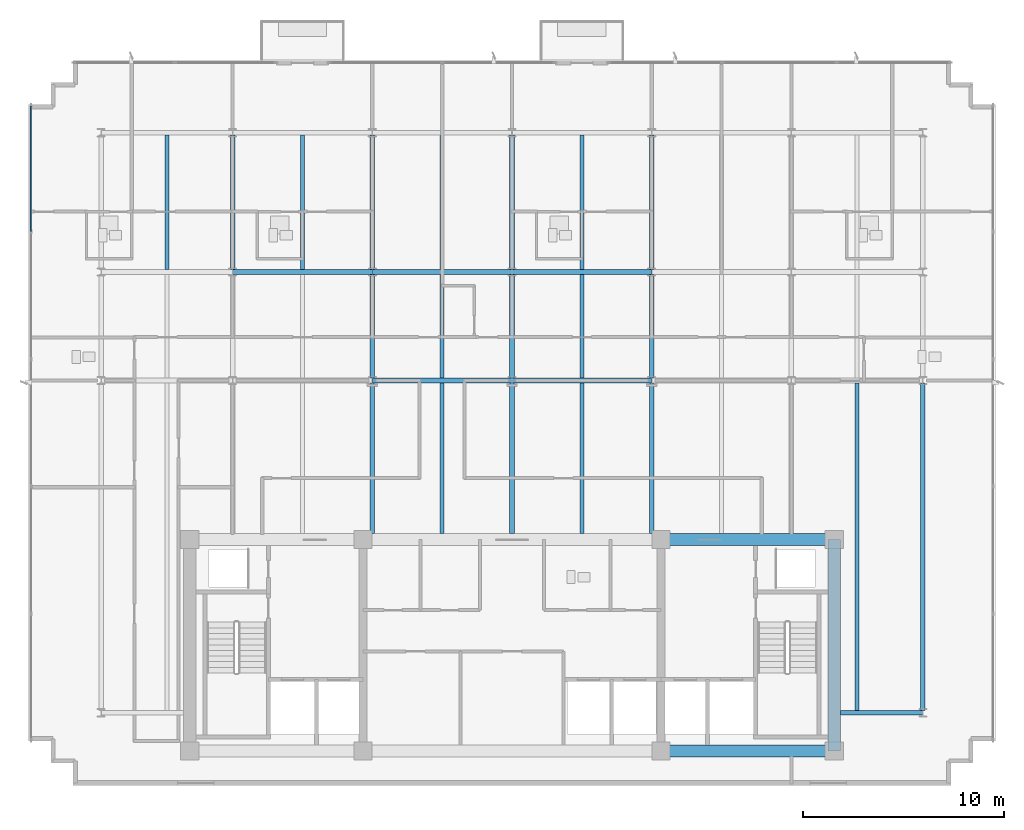
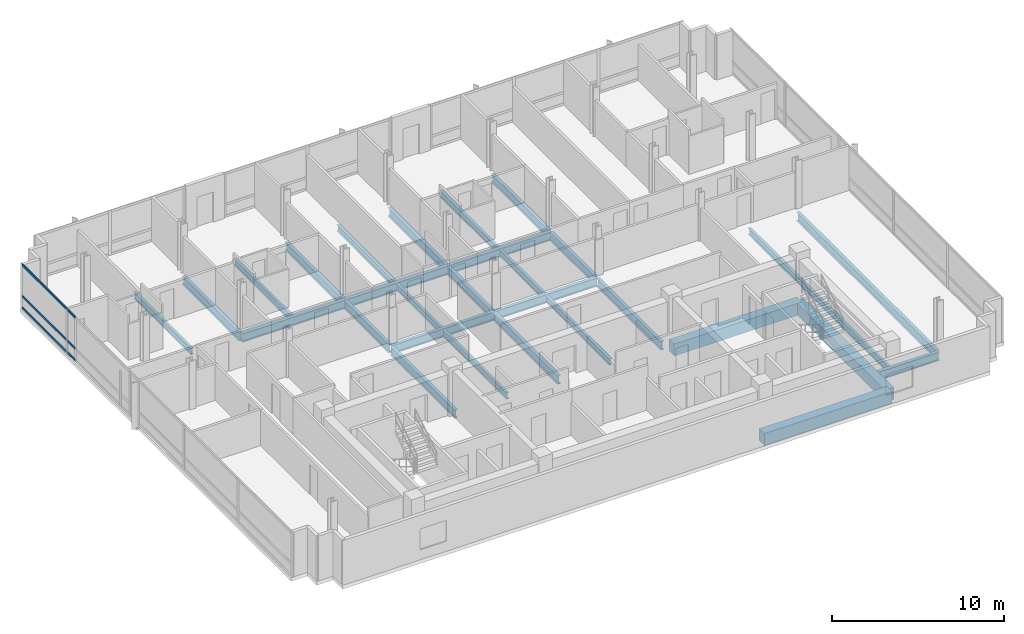
# One storey, part 3 of 15: 29 beams, 3 members, 1 element without a shape of its own.
"""IFC4 building model written with IfcOpenShell, lengths in metres."""

from ifc_helpers import new_model, si_unit, direction, frame, origin, origin_2d, place, context, subcontext, project, spatial, rectangle, i_section, extrude, material, material_profile, profile_set, type_object, element, aggregate, save


model = new_model("IFC4")

# Units and contexts
model_context = context("Model", 3, precision=1e-05, world=origin(), true_north=direction((0.0, 1.0)))
body_context = subcontext(model_context, "Body", "Model", "MODEL_VIEW")
ifc_project = project(units=[si_unit("LENGTHUNIT", "METRE"), si_unit("AREAUNIT", "SQUARE_METRE"), si_unit("VOLUMEUNIT", "CUBIC_METRE"), si_unit("PLANEANGLEUNIT", "RADIAN"), si_unit("MASSUNIT", "GRAM", prefix="KILO")], contexts=[model_context])

# Site, building, storey
site_placement = place(None, origin())
site = spatial("IfcSite", under=ifc_project, at=site_placement, CompositionType="ELEMENT")
building_placement = place(site_placement, origin())
building = spatial("IfcBuilding", under=site, at=building_placement, Name="Solmavex Isthmus Hotel", CompositionType="ELEMENT")
storey_placement = place(building_placement, frame((0.0, 0.0, 259.199951171875)))
storey = spatial("IfcBuildingStorey", under=building, at=storey_placement, Name="L70", CompositionType="ELEMENT", Elevation=259.199951171875)

# Beams
ifc_material_1 = material(Name="Steel ASTM A992 Grade 50", Category="steel")
ifc_material_profile_1 = material_profile(ifc_material_1, i_section(OverallWidth=0.1904296875, OverallDepth=0.456787109375, WebThickness=0.009033203125, FlangeThickness=0.014404296875, FilletRadius=0.0126953125, at=origin_2d()), Name="W18X50")
ifc_profile_set_1 = profile_set([ifc_material_profile_1], Name="Steel ASTM A992 Grade 50")
beam_type_1 = type_object("IfcBeamType", Name="BM-BJ-W18X50", PredefinedType="JOIST", material=ifc_profile_set_1)
for number, where, z_axis, x_axis, name in (
    (1, (-17.135986328125, 10.90185546875, -0.48828125), (0.0, 1.0, 0.0), (-1.0, 0.0, 0.0), "Secondary Floor Joist L70-J03"),
    (2, (-10.404052734375, 10.90185546875, -0.48828125), (0.0, 1.0, 0.0), (-1.0, 0.0, 0.0), "Secondary Floor Joist L70-J06"),
):
    element("IfcBeam", number, at=place(storey_placement, frame(where, z_axis=z_axis, x_axis=x_axis)), inside=storey, type_object=beam_type_1, Name=name, PredefinedType="JOIST", context=body_context, shape_type="SweptSolid", body=[
        extrude(i_section(OverallWidth=0.1904296875, OverallDepth=0.456787109375, WebThickness=0.009033203125, FlangeThickness=0.014404296875, FilletRadius=0.0126953125, at=origin_2d()), origin(), (0.0, 0.0, 1.0), 6.682861328125),
    ])
beam_1_placement = place(storey_placement, frame((-3.468017578125, -2.199951171875, -0.48828125), z_axis=(0.0, 1.0, 0.0), x_axis=(-1.0, 0.0, 0.0)))
element("IfcBeam", 3, at=beam_1_placement, inside=storey, type_object=beam_type_1, Name="Secondary Floor Joist L70-J07", PredefinedType="JOIST", context=body_context, shape_type="SweptSolid", body=[
    extrude(i_section(OverallWidth=0.1904296875, OverallDepth=0.456787109375, WebThickness=0.009033203125, FlangeThickness=0.014404296875, FilletRadius=0.0126953125, at=origin_2d()), origin(), (0.0, 0.0, 1.0), 7.486083984375),
])
beam_2_placement = place(storey_placement, frame((-3.468017578125, 5.513916015625, -0.48828125), z_axis=(0.0, 1.0, 0.0), x_axis=(-1.0, 0.0, 0.0)))
element("IfcBeam", 4, at=beam_2_placement, inside=storey, type_object=beam_type_1, Name="Secondary Floor Joist L70-J08", PredefinedType="JOIST", context=body_context, shape_type="SweptSolid", body=[
    extrude(i_section(OverallWidth=0.1904296875, OverallDepth=0.456787109375, WebThickness=0.009033203125, FlangeThickness=0.014404296875, FilletRadius=0.0126953125, at=origin_2d()), origin(), (0.0, 0.0, 1.0), 5.16015625),
])
beam_3_placement = place(storey_placement, frame((-3.468017578125, 10.90185546875, -0.48828125), z_axis=(0.0, 1.0, 0.0), x_axis=(-1.0, 0.0, 0.0)))
element("IfcBeam", 5, at=beam_3_placement, inside=storey, type_object=beam_type_1, Name="Secondary Floor Joist L70-J09", PredefinedType="JOIST", context=body_context, shape_type="SweptSolid", body=[
    extrude(i_section(OverallWidth=0.1904296875, OverallDepth=0.456787109375, WebThickness=0.009033203125, FlangeThickness=0.014404296875, FilletRadius=0.0126953125, at=origin_2d()), origin(), (0.0, 0.0, 1.0), 6.682861328125),
])
beam_4_placement = place(storey_placement, frame((3.468017578125, -2.199951171875, -0.48828125), z_axis=(0.0, 1.0, 0.0), x_axis=(-1.0, 0.0, 0.0)))
element("IfcBeam", 6, at=beam_4_placement, inside=storey, type_object=beam_type_1, Name="Secondary Floor Joist L70-J10", PredefinedType="JOIST", context=body_context, shape_type="SweptSolid", body=[
    extrude(i_section(OverallWidth=0.1904296875, OverallDepth=0.456787109375, WebThickness=0.009033203125, FlangeThickness=0.014404296875, FilletRadius=0.0126953125, at=origin_2d()), origin(), (0.0, 0.0, 1.0), 7.486083984375),
])
beam_5_placement = place(storey_placement, frame((3.468017578125, 5.513916015625, -0.48828125), z_axis=(0.0, 1.0, 0.0), x_axis=(-1.0, 0.0, 0.0)))
element("IfcBeam", 7, at=beam_5_placement, inside=storey, type_object=beam_type_1, Name="Secondary Floor Joist L70-J11", PredefinedType="JOIST", context=body_context, shape_type="SweptSolid", body=[
    extrude(i_section(OverallWidth=0.1904296875, OverallDepth=0.456787109375, WebThickness=0.009033203125, FlangeThickness=0.014404296875, FilletRadius=0.0126953125, at=origin_2d()), origin(), (0.0, 0.0, 1.0), 5.16015625),
])
beam_6_placement = place(storey_placement, frame((3.468017578125, 10.90185546875, -0.48828125), z_axis=(0.0, 1.0, 0.0), x_axis=(-1.0, 0.0, 0.0)))
element("IfcBeam", 8, at=beam_6_placement, inside=storey, type_object=beam_type_1, Name="Secondary Floor Joist L70-J12", PredefinedType="JOIST", context=body_context, shape_type="SweptSolid", body=[
    extrude(i_section(OverallWidth=0.1904296875, OverallDepth=0.456787109375, WebThickness=0.009033203125, FlangeThickness=0.014404296875, FilletRadius=0.0126953125, at=origin_2d()), origin(), (0.0, 0.0, 1.0), 6.682861328125),
])
beam_7_placement = place(storey_placement, frame((17.135986328125, -10.98486328125, -0.48828125), z_axis=(0.0, 1.0, 0.0), x_axis=(-1.0, 0.0, 0.0)))
element("IfcBeam", 9, at=beam_7_placement, inside=storey, type_object=beam_type_1, Name="Secondary Floor Joist L70-J16", PredefinedType="JOIST", context=body_context, shape_type="SweptSolid", body=[
    extrude(i_section(OverallWidth=0.1904296875, OverallDepth=0.456787109375, WebThickness=0.009033203125, FlangeThickness=0.014404296875, FilletRadius=0.0126953125, at=origin_2d()), origin(), (0.0, 0.0, 1.0), 16.27099609375),
])
ifc_material_profile_2 = material_profile(ifc_material_1, i_section(OverallWidth=0.227783203125, OverallDepth=0.602783203125, WebThickness=0.010498046875, FlangeThickness=0.014892578125, FilletRadius=0.01513671875, at=origin_2d()), Name="W24X68")
ifc_profile_set_2 = profile_set([ifc_material_profile_2], Name="Steel ASTM A992 Grade 50")
beam_type_2 = type_object("IfcBeamType", Name="BM-BM-W24X68", PredefinedType="BEAM", material=ifc_profile_set_2)
for number, where, z_axis, x_axis, name in (
    (10, (-6.93603515625, 5.39990234375, -0.561279296875), (1.0, 0.0, 0.0), (0.0, 1.0, 0.0), "Floor Girder L70-UG05"),
    (11, (0.0, 5.39990234375, -0.561279296875), (1.0, 0.0, 0.0), (0.0, 1.0, 0.0), "Floor Girder L70-UG06"),
    (12, (-13.8720703125, 10.7880859375, -0.561279296875), (1.0, 0.0, 0.0), (0.0, 1.0, 0.0), "Floor Girder L70-UG10"),
    (13, (-6.93603515625, 10.7880859375, -0.561279296875), (1.0, 0.0, 0.0), (0.0, 1.0, 0.0), "Floor Girder L70-UG11"),
    (14, (0.0, 10.7880859375, -0.561279296875), (1.0, 0.0, 0.0), (0.0, 1.0, 0.0), "Floor Girder L70-UG12"),
):
    element("IfcBeam", number, at=place(storey_placement, frame(where, z_axis=z_axis, x_axis=x_axis)), inside=storey, type_object=beam_type_2, Name=name, PredefinedType="BEAM", context=body_context, shape_type="SweptSolid", body=[
        extrude(i_section(OverallWidth=0.227783203125, OverallDepth=0.602783203125, WebThickness=0.010498046875, FlangeThickness=0.014892578125, FilletRadius=0.01513671875, at=origin_2d()), origin(), (0.0, 0.0, 1.0), 6.93603515625),
    ])
beam_8_placement = place(storey_placement, frame((-13.8720703125, 10.90185546875, -0.561279296875), z_axis=(0.0, 1.0, 0.0), x_axis=(-1.0, 0.0, 0.0)))
element("IfcBeam", 15, at=beam_8_placement, inside=storey, type_object=beam_type_2, Name="Floor Beam L70-VG26", PredefinedType="BEAM", context=body_context, shape_type="SweptSolid", body=[
    extrude(i_section(OverallWidth=0.227783203125, OverallDepth=0.602783203125, WebThickness=0.010498046875, FlangeThickness=0.014892578125, FilletRadius=0.01513671875, at=origin_2d()), origin(), (0.0, 0.0, 1.0), 6.682861328125),
])
beam_9_placement = place(storey_placement, frame((-6.93603515625, -2.199951171875, -0.561279296875), z_axis=(0.0, 1.0, 0.0), x_axis=(-1.0, 0.0, 0.0)))
element("IfcBeam", 16, at=beam_9_placement, inside=storey, type_object=beam_type_2, Name="Floor Beam L70-VG27", PredefinedType="BEAM", context=body_context, shape_type="SweptSolid", body=[
    extrude(i_section(OverallWidth=0.227783203125, OverallDepth=0.602783203125, WebThickness=0.010498046875, FlangeThickness=0.014892578125, FilletRadius=0.01513671875, at=origin_2d()), origin(), (0.0, 0.0, 1.0), 7.486083984375),
])
beam_10_placement = place(storey_placement, frame((-6.93603515625, 5.513916015625, -0.561279296875), z_axis=(0.0, 1.0, 0.0), x_axis=(-1.0, 0.0, 0.0)))
element("IfcBeam", 17, at=beam_10_placement, inside=storey, type_object=beam_type_2, Name="Floor Beam L70-VG28", PredefinedType="BEAM", context=body_context, shape_type="SweptSolid", body=[
    extrude(i_section(OverallWidth=0.227783203125, OverallDepth=0.602783203125, WebThickness=0.010498046875, FlangeThickness=0.014892578125, FilletRadius=0.01513671875, at=origin_2d()), origin(), (0.0, 0.0, 1.0), 5.16015625),
])
beam_11_placement = place(storey_placement, frame((-6.93603515625, 10.90185546875, -0.561279296875), z_axis=(0.0, 1.0, 0.0), x_axis=(-1.0, 0.0, 0.0)))
element("IfcBeam", 18, at=beam_11_placement, inside=storey, type_object=beam_type_2, Name="Floor Beam L70-VG29", PredefinedType="BEAM", context=body_context, shape_type="SweptSolid", body=[
    extrude(i_section(OverallWidth=0.227783203125, OverallDepth=0.602783203125, WebThickness=0.010498046875, FlangeThickness=0.014892578125, FilletRadius=0.01513671875, at=origin_2d()), origin(), (0.0, 0.0, 1.0), 6.682861328125),
])
beam_12_placement = place(storey_placement, frame((0.0, -2.199951171875, -0.561279296875), z_axis=(0.0, 1.0, 0.0), x_axis=(-1.0, 0.0, 0.0)))
element("IfcBeam", 19, at=beam_12_placement, inside=storey, type_object=beam_type_2, Name="Floor Beam L70-VG30", PredefinedType="BEAM", context=body_context, shape_type="SweptSolid", body=[
    extrude(i_section(OverallWidth=0.227783203125, OverallDepth=0.602783203125, WebThickness=0.010498046875, FlangeThickness=0.014892578125, FilletRadius=0.01513671875, at=origin_2d()), origin(), (0.0, 0.0, 1.0), 7.486083984375),
])
beam_13_placement = place(storey_placement, frame((0.0, 5.513916015625, -0.561279296875), z_axis=(0.0, 1.0, 0.0), x_axis=(-1.0, 0.0, 0.0)))
element("IfcBeam", 20, at=beam_13_placement, inside=storey, type_object=beam_type_2, Name="Floor Beam L70-VG31", PredefinedType="BEAM", context=body_context, shape_type="SweptSolid", body=[
    extrude(i_section(OverallWidth=0.227783203125, OverallDepth=0.602783203125, WebThickness=0.010498046875, FlangeThickness=0.014892578125, FilletRadius=0.01513671875, at=origin_2d()), origin(), (0.0, 0.0, 1.0), 5.16015625),
])
beam_14_placement = place(storey_placement, frame((0.0, 10.90185546875, -0.561279296875), z_axis=(0.0, 1.0, 0.0), x_axis=(-1.0, 0.0, 0.0)))
element("IfcBeam", 21, at=beam_14_placement, inside=storey, type_object=beam_type_2, Name="Floor Beam L70-VG32", PredefinedType="BEAM", context=body_context, shape_type="SweptSolid", body=[
    extrude(i_section(OverallWidth=0.227783203125, OverallDepth=0.602783203125, WebThickness=0.010498046875, FlangeThickness=0.014892578125, FilletRadius=0.01513671875, at=origin_2d()), origin(), (0.0, 0.0, 1.0), 6.682861328125),
])
beam_15_placement = place(storey_placement, frame((6.93603515625, -2.199951171875, -0.561279296875), z_axis=(0.0, 1.0, 0.0), x_axis=(-1.0, 0.0, 0.0)))
element("IfcBeam", 22, at=beam_15_placement, inside=storey, type_object=beam_type_2, Name="Floor Beam L70-VG33", PredefinedType="BEAM", context=body_context, shape_type="SweptSolid", body=[
    extrude(i_section(OverallWidth=0.227783203125, OverallDepth=0.602783203125, WebThickness=0.010498046875, FlangeThickness=0.014892578125, FilletRadius=0.01513671875, at=origin_2d()), origin(), (0.0, 0.0, 1.0), 7.486083984375),
])
beam_16_placement = place(storey_placement, frame((6.93603515625, 5.513916015625, -0.561279296875), z_axis=(0.0, 1.0, 0.0), x_axis=(-1.0, 0.0, 0.0)))
element("IfcBeam", 23, at=beam_16_placement, inside=storey, type_object=beam_type_2, Name="Floor Beam L70-VG34", PredefinedType="BEAM", context=body_context, shape_type="SweptSolid", body=[
    extrude(i_section(OverallWidth=0.227783203125, OverallDepth=0.602783203125, WebThickness=0.010498046875, FlangeThickness=0.014892578125, FilletRadius=0.01513671875, at=origin_2d()), origin(), (0.0, 0.0, 1.0), 5.16015625),
])
beam_17_placement = place(storey_placement, frame((6.93603515625, 10.90185546875, -0.561279296875), z_axis=(0.0, 1.0, 0.0), x_axis=(-1.0, 0.0, 0.0)))
element("IfcBeam", 24, at=beam_17_placement, inside=storey, type_object=beam_type_2, Name="Floor Beam L70-VG35", PredefinedType="BEAM", context=body_context, shape_type="SweptSolid", body=[
    extrude(i_section(OverallWidth=0.227783203125, OverallDepth=0.602783203125, WebThickness=0.010498046875, FlangeThickness=0.014892578125, FilletRadius=0.01513671875, at=origin_2d()), origin(), (0.0, 0.0, 1.0), 6.682861328125),
])
ifc_material_2 = material(Name="Concrete C50/60", Category="concrete")
ifc_material_profile_3 = material_profile(ifc_material_2, rectangle(XDim=0.60009765625, YDim=0.85009765625, at=origin_2d()), Name="RC600X850")
ifc_profile_set_3 = profile_set([ifc_material_profile_3], Name="Concrete C50/60")
beam_type_3 = type_object("IfcBeamType", Name="BM-CB-600X850", PredefinedType="BEAM", material=ifc_profile_set_3)
for number, where, z_axis, x_axis, name in (
    (25, (7.39990234375, -13.0, -0.68505859375), (1.0, 0.0, 0.0), (0.0, 1.0, 0.0), "Core Coupling Beam L70-CB3"),
    (26, (7.39990234375, -2.5, -0.68505859375), (1.0, 0.0, 0.0), (0.0, 1.0, 0.0), "Core Coupling Beam L70-CB6"),
):
    element("IfcBeam", number, at=place(storey_placement, frame(where, z_axis=z_axis, x_axis=x_axis)), inside=storey, type_object=beam_type_3, Name=name, PredefinedType="BEAM", context=body_context, shape_type="SweptSolid", body=[
        extrude(rectangle(XDim=0.60009765625, YDim=0.85009765625, at=origin_2d()), origin(), (0.0, 0.0, 1.0), 8.60009765625),
    ])
beam_18_placement = place(storey_placement, frame((16.0, -13.0, -0.68505859375), z_axis=(0.0, 1.0, 0.0), x_axis=(-1.0, 0.0, 0.0)))
element("IfcBeam", 27, at=beam_18_placement, inside=storey, type_object=beam_type_3, Name="Core Coupling Beam L70-CB8", PredefinedType="BEAM", context=body_context, shape_type="SweptSolid", body=[
    extrude(rectangle(XDim=0.60009765625, YDim=0.85009765625, at=origin_2d()), origin(), (0.0, 0.0, 1.0), 10.5),
])
ifc_material_profile_4 = material_profile(ifc_material_1, i_section(OverallWidth=0.230224609375, OverallDepth=0.617431640625, WebThickness=0.01318359375, FlangeThickness=0.022216796875, FilletRadius=0.01513671875, at=origin_2d()), Name="W24X94")
ifc_profile_set_4 = profile_set([ifc_material_profile_4], Name="Steel ASTM A992 Grade 50")
beam_type_4 = type_object("IfcBeamType", Name="BM-SP-W24X94", PredefinedType="SPANDREL", material=ifc_profile_set_4)
beam_19_placement = place(storey_placement, frame((16.300048828125, -11.10009765625, -0.568603515625), z_axis=(1.0, 0.0, 0.0), x_axis=(0.0, 1.0, 0.0)))
element("IfcBeam", 28, at=beam_19_placement, inside=storey, type_object=beam_type_4, Name="Floor Girder L70-UG02", PredefinedType="SPANDREL", context=body_context, shape_type="SweptSolid", body=[
    extrude(i_section(OverallWidth=0.230224609375, OverallDepth=0.617431640625, WebThickness=0.01318359375, FlangeThickness=0.022216796875, FilletRadius=0.01513671875, at=origin_2d()), origin(), (0.0, 0.0, 1.0), 4.099853515625),
])
beam_20_placement = place(storey_placement, frame((20.39990234375, -10.98486328125, -0.568603515625), z_axis=(0.0, 1.0, 0.0), x_axis=(-1.0, 0.0, 0.0)))
element("IfcBeam", 29, at=beam_20_placement, inside=storey, type_object=beam_type_4, Name="Floor Beam L70-VG39", PredefinedType="SPANDREL", context=body_context, shape_type="SweptSolid", body=[
    extrude(i_section(OverallWidth=0.230224609375, OverallDepth=0.617431640625, WebThickness=0.01318359375, FlangeThickness=0.022216796875, FilletRadius=0.01513671875, at=origin_2d()), origin(), (0.0, 0.0, 1.0), 16.27099609375),
])

# Curtain wall, members
ifc_material_3 = material(Name="Aluminium alloy 6063-T6", Category="aluminium")
curtain_wall_type = type_object("IfcCurtainWallType", Name="CW-SYS-04", PredefinedType="NOTDEFINED", material=ifc_material_3)
curtain_wall_placement = place(storey_placement, origin())
curtain_wall = element("IfcCurtainWall", 30, at=curtain_wall_placement, inside=storey, type_object=curtain_wall_type, Name="Stick Curtain Wall CWL-L70-W1", PredefinedType="NOTDEFINED")
ifc_material_profile_5 = material_profile(ifc_material_3, rectangle(XDim=0.074951171875, YDim=0.14990234375, at=origin_2d()), Name="CWT-75X150")
ifc_profile_set_5 = profile_set([ifc_material_profile_5], Name="Aluminium alloy 6063-T6")
member_type = type_object("IfcMemberType", Name="CW-SYS-04-TRN", PredefinedType="USERDEFINED", material=ifc_profile_set_5)
member_1_placement = place(storey_placement, frame((-23.8798828125, 12.8173828125, 0.074951171875), z_axis=(0.0, 1.0, 0.0), x_axis=(-1.0, 0.0, 0.0)))
member_1 = element("IfcMember", 31, at=member_1_placement, type_object=member_type, Name="CW-04 transom 5.1", ObjectType="TRANSOM", PredefinedType="USERDEFINED", context=body_context, shape_type="SweptSolid", body=[
    extrude(rectangle(XDim=0.074951171875, YDim=0.14990234375, at=origin_2d()), origin(), (0.0, 0.0, 1.0), 6.20751953125),
])
member_2_placement = place(storey_placement, frame((-23.8798828125, 12.8173828125, 0.900146484375), z_axis=(0.0, 1.0, 0.0), x_axis=(-1.0, 0.0, 0.0)))
member_2 = element("IfcMember", 32, at=member_2_placement, type_object=member_type, Name="CW-04 transom 5.2", ObjectType="TRANSOM", PredefinedType="USERDEFINED", context=body_context, shape_type="SweptSolid", body=[
    extrude(rectangle(XDim=0.074951171875, YDim=0.14990234375, at=origin_2d()), origin(), (0.0, 0.0, 1.0), 6.20751953125),
])
member_3_placement = place(storey_placement, frame((-23.8798828125, 12.8173828125, 3.114990234375), z_axis=(0.0, 1.0, 0.0), x_axis=(-1.0, 0.0, 0.0)))
member_3 = element("IfcMember", 33, at=member_3_placement, type_object=member_type, Name="CW-04 transom 5.3", ObjectType="TRANSOM", PredefinedType="USERDEFINED", context=body_context, shape_type="SweptSolid", body=[
    extrude(rectangle(XDim=0.074951171875, YDim=0.14990234375, at=origin_2d()), origin(), (0.0, 0.0, 1.0), 6.20751953125),
])
aggregate(curtain_wall, [member_1, member_2, member_3])

save(model, "model.ifc")
